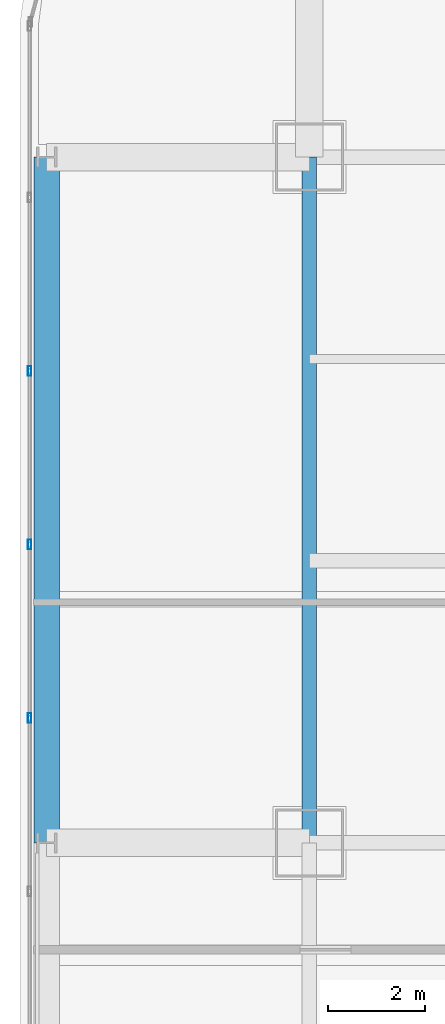
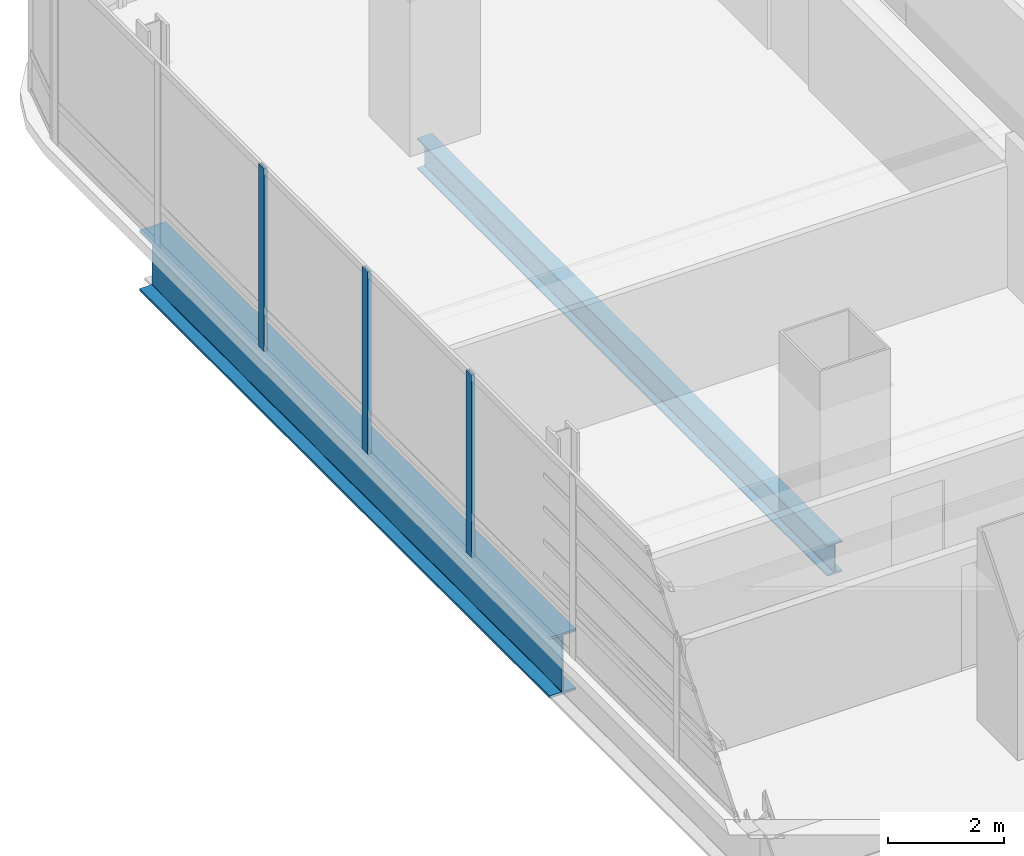
# One storey, part 12 of 38: 3 members, 2 beams, 1 element without a shape of its own.
"""IFC4 building model written with IfcOpenShell, lengths in metres."""

from ifc_helpers import new_model, si_unit, direction, frame, origin, origin_2d, place, context, subcontext, project, spatial, hollow_rectangle, i_section, extrude, material, material_profile, profile_set, type_object, element, aggregate, save


model = new_model("IFC4")

# Units and contexts
model_context = context("Model", 3, precision=1e-05, world=origin(), true_north=direction((0.0, 1.0)))
body_context = subcontext(model_context, "Body", "Model", "MODEL_VIEW")
ifc_project = project(units=[si_unit("LENGTHUNIT", "METRE"), si_unit("AREAUNIT", "SQUARE_METRE"), si_unit("VOLUMEUNIT", "CUBIC_METRE"), si_unit("PLANEANGLEUNIT", "RADIAN"), si_unit("MASSUNIT", "GRAM", prefix="KILO")], contexts=[model_context])

# Site, building, storey
site_placement = place(None, origin())
site = spatial("IfcSite", under=ifc_project, at=site_placement, CompositionType="ELEMENT")
building_placement = place(site_placement, origin())
building = spatial("IfcBuilding", under=site, at=building_placement, Name="Punatoya Terracotta Tower", CompositionType="ELEMENT")
storey_placement = place(building_placement, frame((0.0, 0.0, 143.85009765625)))
storey = spatial("IfcBuildingStorey", under=building, at=storey_placement, Name="L33", CompositionType="ELEMENT", Elevation=143.85009765625)

# Beams
ifc_material_1 = material(Name="Steel S355", Category="steel")
ifc_material_profile_1 = material_profile(ifc_material_1, i_section(OverallWidth=0.300048828125, OverallDepth=0.64990234375, WebThickness=0.01611328125, FlangeThickness=0.031005859375, FilletRadius=0.01806640625, at=origin_2d()))
ifc_profile_set_1 = profile_set([ifc_material_profile_1], Name="Steel S355")
beam_type_1 = type_object("IfcBeamType", Name="BM-PRI-650", PredefinedType="BEAM", material=ifc_profile_set_1)
beam_1_placement = place(storey_placement, frame((-19.10009765625, 3.39990234375, -0.545166015625), z_axis=(0.0, 1.0, 0.0), x_axis=(-1.0, 0.0, 0.0)))
element("IfcBeam", 1, at=beam_1_placement, inside=storey, type_object=beam_type_1, Name="BM-L33-RG-W3", PredefinedType="BEAM", context=body_context, shape_type="SweptSolid", body=[
    extrude(i_section(OverallWidth=0.300048828125, OverallDepth=0.64990234375, WebThickness=0.01611328125, FlangeThickness=0.031005859375, FilletRadius=0.01806640625, at=origin_2d()), origin(), (0.0, 0.0, 1.0), 14.10009765625),
])
ifc_material_2 = material(Name="Steel S460", Category="steel")
ifc_material_profile_2 = material_profile(ifc_material_2, i_section(OverallWidth=0.52001953125, OverallDepth=1.280029296875, WebThickness=0.031982421875, FlangeThickness=0.050048828125, FilletRadius=0.01806640625, at=origin_2d()))
ifc_profile_set_2 = profile_set([ifc_material_profile_2], Name="Steel S460")
beam_type_2 = type_object("IfcBeamType", Name="BM-TG-NCK", PredefinedType="BEAM", material=ifc_profile_set_2)
beam_2_placement = place(storey_placement, frame((-24.5, 3.39990234375, -0.860107421875), z_axis=(0.0, 1.0, 0.0), x_axis=(-1.0, 0.0, 0.0)))
element("IfcBeam", 2, at=beam_2_placement, inside=storey, type_object=beam_type_2, Name="BM-L33-PER-W3", PredefinedType="BEAM", context=body_context, shape_type="SweptSolid", body=[
    extrude(i_section(OverallWidth=0.52001953125, OverallDepth=1.280029296875, WebThickness=0.031982421875, FlangeThickness=0.050048828125, FilletRadius=0.01806640625, at=origin_2d()), origin(), (0.0, 0.0, 1.0), 14.10009765625),
])

# Curtain wall, members
ifc_material_3 = material(Name="Aluminium 6063-T6 + Double Low-E Glass", Category="aluminium")
curtain_wall_type = type_object("IfcCurtainWallType", Name="CW-M2", PredefinedType="NOTDEFINED", material=ifc_material_3)
curtain_wall_placement = place(storey_placement, origin())
curtain_wall = element("IfcCurtainWall", 3, at=curtain_wall_placement, inside=storey, type_object=curtain_wall_type, Name="L33 Curtain Wall CW-L33-W13-1", PredefinedType="NOTDEFINED")
ifc_material_4 = material(Name="Aluminium 6063-T6", Category="aluminium")
ifc_material_profile_3 = material_profile(ifc_material_4, hollow_rectangle(XDim=0.072021484375, YDim=0.195068359375, WallThickness=0.00439453125, at=origin_2d()))
ifc_profile_set_3 = profile_set([ifc_material_profile_3], Name="Aluminium 6063-T6")
member_type = type_object("IfcMemberType", Name="CW-MUL-M2", PredefinedType="MULLION", material=ifc_profile_set_3)
member_1_placement = place(storey_placement, frame((-24.85009765625, 13.10205078125, 0.0), z_axis=(0.0, 0.0, 1.0), x_axis=(1.0, 0.0, 0.0)))
member_1 = element("IfcMember", 4, at=member_1_placement, type_object=member_type, Name="CW-L33-W13-1 Mullion 02", PredefinedType="MULLION", context=body_context, shape_type="SweptSolid", body=[
    extrude(hollow_rectangle(XDim=0.072021484375, YDim=0.195068359375, WallThickness=0.00439453125, at=origin_2d()), origin(), (0.0, 0.0, 1.0), 3.829833984375),
])
member_2_placement = place(storey_placement, frame((-24.85009765625, 9.534912109375, 0.0), z_axis=(0.0, 0.0, 1.0), x_axis=(1.0, 0.0, 0.0)))
member_2 = element("IfcMember", 5, at=member_2_placement, type_object=member_type, Name="CW-L33-W13-1 Mullion 03", PredefinedType="MULLION", context=body_context, shape_type="SweptSolid", body=[
    extrude(hollow_rectangle(XDim=0.072021484375, YDim=0.195068359375, WallThickness=0.00439453125, at=origin_2d()), origin(), (0.0, 0.0, 1.0), 3.829833984375),
])
member_3_placement = place(storey_placement, frame((-24.85009765625, 5.96728515625, 0.0), z_axis=(0.0, 0.0, 1.0), x_axis=(1.0, 0.0, 0.0)))
member_3 = element("IfcMember", 6, at=member_3_placement, type_object=member_type, Name="CW-L33-W13-1 Mullion 04", PredefinedType="MULLION", context=body_context, shape_type="SweptSolid", body=[
    extrude(hollow_rectangle(XDim=0.072021484375, YDim=0.195068359375, WallThickness=0.00439453125, at=origin_2d()), origin(), (0.0, 0.0, 1.0), 3.829833984375),
])
aggregate(curtain_wall, [member_1, member_2, member_3])

save(model, "model.ifc")
